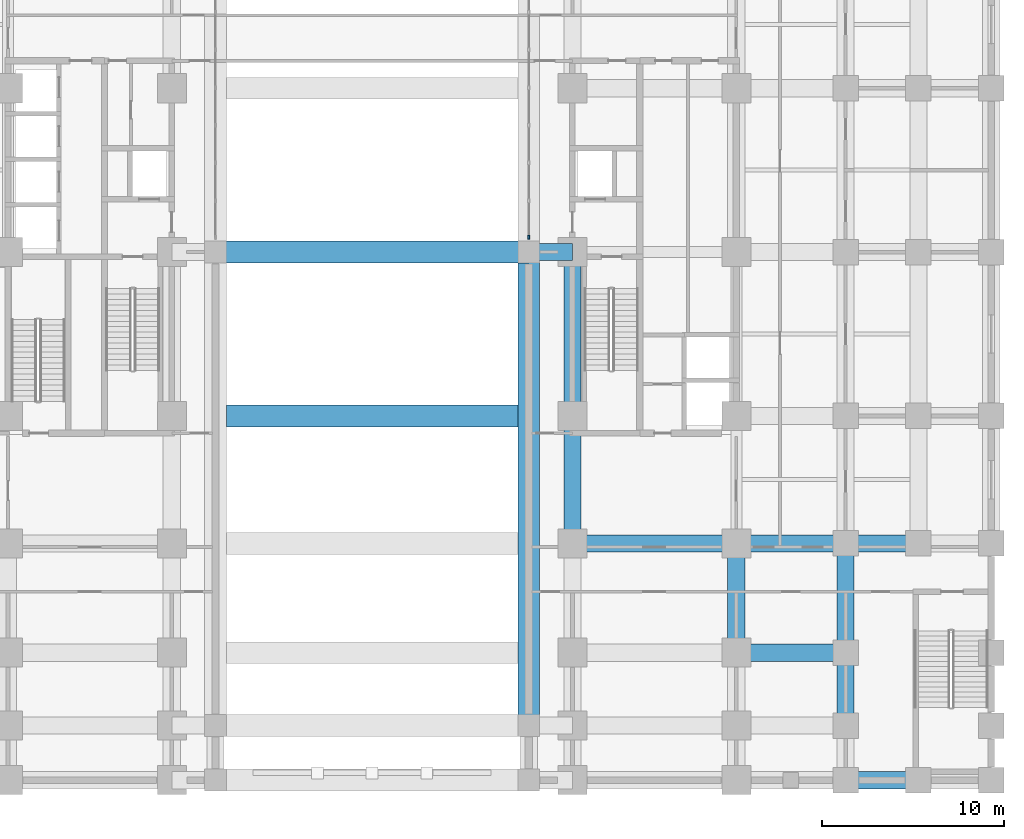
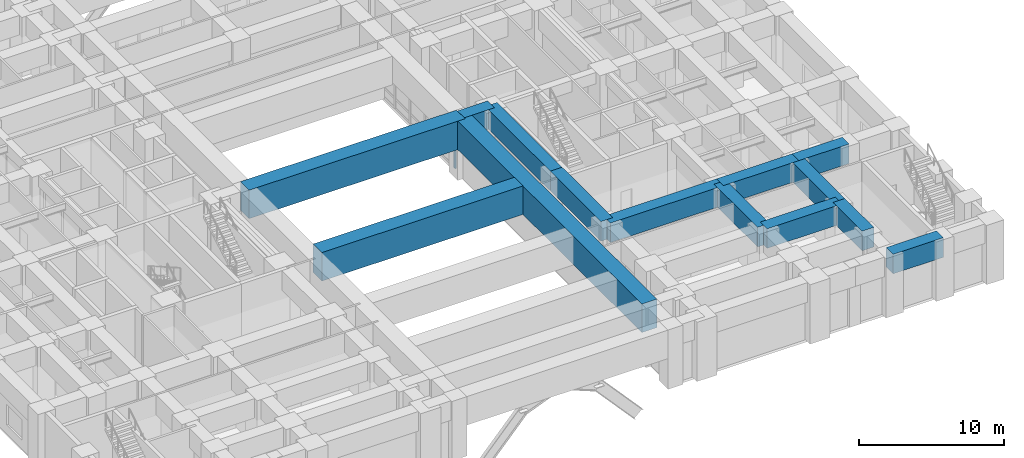
# One storey, part 3 of 24: 14 beams, 1 member, 1 element without a shape of its own.
"""IFC4 building model written with IfcOpenShell, lengths in metres."""

from ifc_helpers import new_model, si_unit, direction, frame, origin, origin_2d, place, context, subcontext, project, spatial, rectangle, extrude, material, material_profile, profile_set, type_object, element, aggregate, save


model = new_model("IFC4")

# Units and contexts
model_context = context("Model", 3, precision=1e-05, world=origin(), true_north=direction((0.0, 1.0)))
body_context = subcontext(model_context, "Body", "Model", "MODEL_VIEW")
ifc_project = project(units=[si_unit("LENGTHUNIT", "METRE"), si_unit("AREAUNIT", "SQUARE_METRE"), si_unit("VOLUMEUNIT", "CUBIC_METRE"), si_unit("PLANEANGLEUNIT", "RADIAN"), si_unit("MASSUNIT", "GRAM", prefix="KILO")], contexts=[model_context])

# Site, building, storey
site_placement = place(None, origin())
site = spatial("IfcSite", under=ifc_project, at=site_placement, CompositionType="ELEMENT")
building_placement = place(site_placement, origin())
building = spatial("IfcBuilding", under=site, at=building_placement, Name="Zulmaris Gate Convention Tower", CompositionType="ELEMENT")
storey_placement = place(building_placement, frame((0.0, 0.0, 16.320068359375)))
storey = spatial("IfcBuildingStorey", under=building, at=storey_placement, Name="L03", CompositionType="ELEMENT", Elevation=16.320068359375)

# Beams
ifc_material_1 = material(Name="Concrete C80/95", Category="concrete")
ifc_material_profile_1 = material_profile(ifc_material_1, rectangle(XDim=0.949951171875, YDim=1.64990234375, at=origin_2d()), Name="RC TRANSFER 950x1650")
ifc_profile_set_1 = profile_set([ifc_material_profile_1], Name="Concrete C80/95")
beam_type_1 = type_object("IfcBeamType", Name="BM-XFER1650", PredefinedType="BEAM", material=ifc_profile_set_1)
beam_1_placement = place(storey_placement, frame((26.0, -29.0, 4.1650390625), z_axis=(1.0, 0.0, 0.0), x_axis=(0.0, 1.0, 0.0)))
element("IfcBeam", 1, at=beam_1_placement, inside=storey, type_object=beam_type_1, Name="L03 Beam XFRNGX-L03--29.0-12", PredefinedType="BEAM", context=body_context, shape_type="SweptSolid", body=[
    extrude(rectangle(XDim=0.949951171875, YDim=1.64990234375, at=origin_2d()), origin(), (0.0, 0.0, 1.0), 4.0),
])
beam_2_placement = place(storey_placement, frame((11.0, -16.0, 4.1650390625), z_axis=(0.0, 1.0, 0.0), x_axis=(-1.0, 0.0, 0.0)))
element("IfcBeam", 2, at=beam_2_placement, inside=storey, type_object=beam_type_1, Name="L03 Beam XFSPY-L03-+11.0-4", PredefinedType="BEAM", context=body_context, shape_type="SweptSolid", body=[
    extrude(rectangle(XDim=0.949951171875, YDim=1.64990234375, at=origin_2d()), origin(), (0.0, 0.0, 1.0), 7.0),
])
beam_3_placement = place(storey_placement, frame((11.0, -9.0, 4.1650390625), z_axis=(0.0, 1.0, 0.0), x_axis=(-1.0, 0.0, 0.0)))
element("IfcBeam", 3, at=beam_3_placement, inside=storey, type_object=beam_type_1, Name="L03 Beam XFSPY-L03-+11.0-5", PredefinedType="BEAM", context=body_context, shape_type="SweptSolid", body=[
    extrude(rectangle(XDim=0.949951171875, YDim=1.64990234375, at=origin_2d()), origin(), (0.0, 0.0, 1.0), 9.0),
])
beam_4_placement = place(storey_placement, frame((20.0, -22.0, 4.1650390625), z_axis=(0.0, 1.0, 0.0), x_axis=(-1.0, 0.0, 0.0)))
element("IfcBeam", 4, at=beam_4_placement, inside=storey, type_object=beam_type_1, Name="L03 Beam XFSPY-L03-+20.0-3", PredefinedType="BEAM", context=body_context, shape_type="SweptSolid", body=[
    extrude(rectangle(XDim=0.949951171875, YDim=1.64990234375, at=origin_2d()), origin(), (0.0, 0.0, 1.0), 6.0),
])
beam_5_placement = place(storey_placement, frame((26.0, -26.0, 4.1650390625), z_axis=(0.0, 1.0, 0.0), x_axis=(-1.0, 0.0, 0.0)))
element("IfcBeam", 5, at=beam_5_placement, inside=storey, type_object=beam_type_1, Name="L03 Beam XFSPY-L03-+26.0-2", PredefinedType="BEAM", context=body_context, shape_type="SweptSolid", body=[
    extrude(rectangle(XDim=0.949951171875, YDim=1.64990234375, at=origin_2d()), origin(), (0.0, 0.0, 1.0), 4.0),
])
for number, where, z_axis, x_axis, name in (
    (6, (26.0, -22.0, 4.1650390625), (0.0, 1.0, 0.0), (-1.0, 0.0, 0.0), "L03 Beam XFSPY-L03-+26.0-3"),
    (7, (20.0, -22.0, 4.1650390625), (1.0, 0.0, 0.0), (0.0, 1.0, 0.0), "L03 Beam XFSPX-L03--22.0-8"),
):
    element("IfcBeam", number, at=place(storey_placement, frame(where, z_axis=z_axis, x_axis=x_axis)), inside=storey, type_object=beam_type_1, Name=name, PredefinedType="BEAM", context=body_context, shape_type="SweptSolid", body=[
        extrude(rectangle(XDim=0.949951171875, YDim=1.64990234375, at=origin_2d()), origin(), (0.0, 0.0, 1.0), 6.0),
    ])
beam_6_placement = place(storey_placement, frame((11.0, -16.0, 4.1650390625), z_axis=(1.0, 0.0, 0.0), x_axis=(0.0, 1.0, 0.0)))
element("IfcBeam", 8, at=beam_6_placement, inside=storey, type_object=beam_type_1, Name="L03 Beam XFSPX-L03--16.0-8", PredefinedType="BEAM", context=body_context, shape_type="SweptSolid", body=[
    extrude(rectangle(XDim=0.949951171875, YDim=1.64990234375, at=origin_2d()), origin(), (0.0, 0.0, 1.0), 9.0),
])
beam_7_placement = place(storey_placement, frame((20.0, -16.0, 4.1650390625), z_axis=(1.0, 0.0, 0.0), x_axis=(0.0, 1.0, 0.0)))
element("IfcBeam", 9, at=beam_7_placement, inside=storey, type_object=beam_type_1, Name="L03 Beam XFSPX-L03--16.0-9", PredefinedType="BEAM", context=body_context, shape_type="SweptSolid", body=[
    extrude(rectangle(XDim=0.949951171875, YDim=1.64990234375, at=origin_2d()), origin(), (0.0, 0.0, 1.0), 6.0),
])
beam_8_placement = place(storey_placement, frame((26.0, -16.0, 4.1650390625), z_axis=(1.0, 0.0, 0.0), x_axis=(0.0, 1.0, 0.0)))
element("IfcBeam", 10, at=beam_8_placement, inside=storey, type_object=beam_type_1, Name="L03 Beam XFSPX-L03--16.0-10", PredefinedType="BEAM", context=body_context, shape_type="SweptSolid", body=[
    extrude(rectangle(XDim=0.949951171875, YDim=1.64990234375, at=origin_2d()), origin(), (0.0, 0.0, 1.0), 4.0),
])
beam_9_placement = place(storey_placement, frame((8.60009765625, 0.0, 4.1650390625), z_axis=(1.0, 0.0, 0.0), x_axis=(0.0, 1.0, 0.0)))
element("IfcBeam", 11, at=beam_9_placement, inside=storey, type_object=beam_type_1, Name="L03 Beam XFSPX-L03-+0.0-7", PredefinedType="BEAM", context=body_context, shape_type="SweptSolid", body=[
    extrude(rectangle(XDim=0.949951171875, YDim=1.64990234375, at=origin_2d()), origin(), (0.0, 0.0, 1.0), 2.39990234375),
])
ifc_material_profile_2 = material_profile(ifc_material_1, rectangle(XDim=1.199951171875, YDim=2.39990234375, at=origin_2d()), Name="RC TRANSFER 1200x2400")
ifc_profile_set_2 = profile_set([ifc_material_profile_2], Name="Concrete C80/95")
beam_type_2 = type_object("IfcBeamType", Name="BM-XFER2400", PredefinedType="BEAM", material=ifc_profile_set_2)
beam_10_placement = place(storey_placement, frame((8.60009765625, -26.0, 3.7900390625), z_axis=(0.0, 1.0, 0.0), x_axis=(-1.0, 0.0, 0.0)))
element("IfcBeam", 12, at=beam_10_placement, inside=storey, type_object=beam_type_2, Name="L03 Beam XFSPY-L03-+8.6-2", PredefinedType="BEAM", context=body_context, shape_type="SweptSolid", body=[
    extrude(rectangle(XDim=1.199951171875, YDim=2.39990234375, at=origin_2d()), origin(), (0.0, 0.0, 1.0), 26.0),
])
beam_11_placement = place(storey_placement, frame((-8.011962890625, -9.0, 3.7900390625), z_axis=(1.0, 0.0, 0.0), x_axis=(0.0, 1.0, 0.0)))
element("IfcBeam", 13, at=beam_11_placement, inside=storey, type_object=beam_type_2, Name="L03 Beam XFSPX-L03--9.0-6", PredefinedType="BEAM", context=body_context, shape_type="SweptSolid", body=[
    extrude(rectangle(XDim=1.199951171875, YDim=2.39990234375, at=origin_2d()), origin(), (0.0, 0.0, 1.0), 16.02392578125),
])
beam_12_placement = place(storey_placement, frame((-8.60009765625, 0.0, 3.7900390625), z_axis=(1.0, 0.0, 0.0), x_axis=(0.0, 1.0, 0.0)))
element("IfcBeam", 14, at=beam_12_placement, inside=storey, type_object=beam_type_2, Name="L03 Beam XFSPX-L03-+0.0-6", PredefinedType="BEAM", context=body_context, shape_type="SweptSolid", body=[
    extrude(rectangle(XDim=1.199951171875, YDim=2.39990234375, at=origin_2d()), origin(), (0.0, 0.0, 1.0), 17.2001953125),
])

# Curtain wall, member
ifc_material_2 = material(Name="Anodised Aluminium", Category="aluminium")
curtain_wall_type = type_object("IfcCurtainWallType", Name="CW-02", PredefinedType="NOTDEFINED", material=ifc_material_2)
curtain_wall_placement = place(storey_placement, origin())
curtain_wall = element("IfcCurtainWall", 15, at=curtain_wall_placement, inside=storey, type_object=curtain_wall_type, Name="CW-02 CW02-L03-EL_0", PredefinedType="NOTDEFINED")
ifc_material_profile_3 = material_profile(ifc_material_2, rectangle(XDim=0.090087890625, YDim=0.219970703125, at=origin_2d()), Name="ALU MULLION 90x220")
ifc_profile_set_3 = profile_set([ifc_material_profile_3], Name="Anodised Aluminium")
member_type = type_object("IfcMemberType", Name="CW-02-MULL", PredefinedType="MULLION", material=ifc_profile_set_3)
member_placement = place(storey_placement, frame((8.60009765625, 0.804931640625, 0.0), z_axis=(0.0, 0.0, 1.0), x_axis=(1.0, 0.0, 0.0)))
member = element("IfcMember", 16, at=member_placement, type_object=member_type, Name="CW-02 mullion 8", PredefinedType="MULLION", context=body_context, shape_type="SweptSolid", body=[
    extrude(rectangle(XDim=0.090087890625, YDim=0.219970703125, at=origin_2d()), origin(), (0.0, 0.0, 1.0), 2.781982421875),
])
aggregate(curtain_wall, [member])

save(model, "model.ifc")
